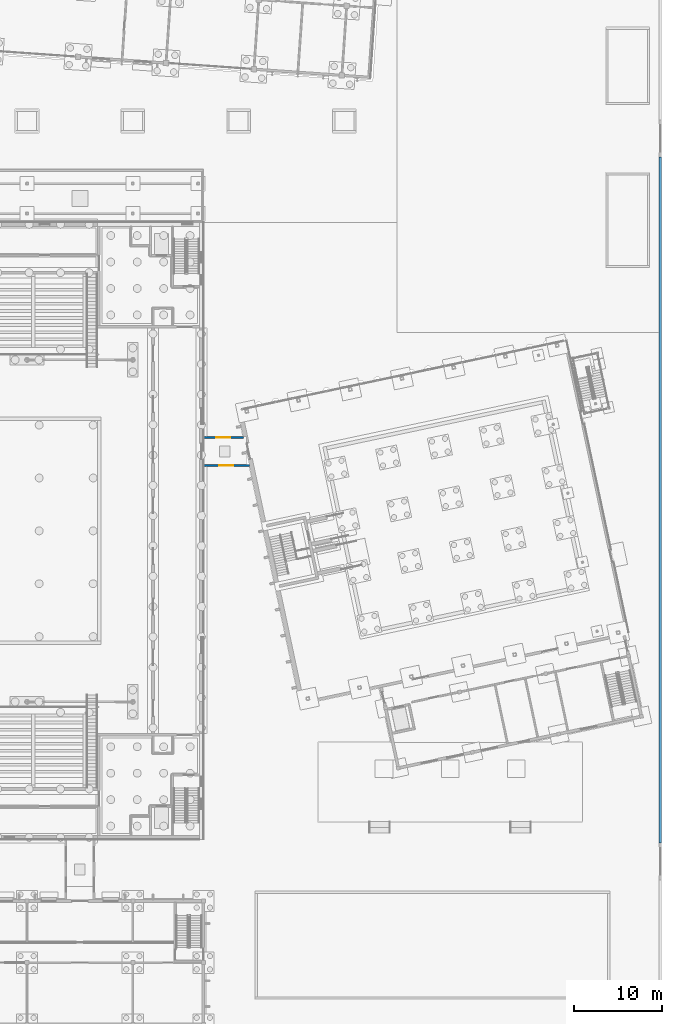
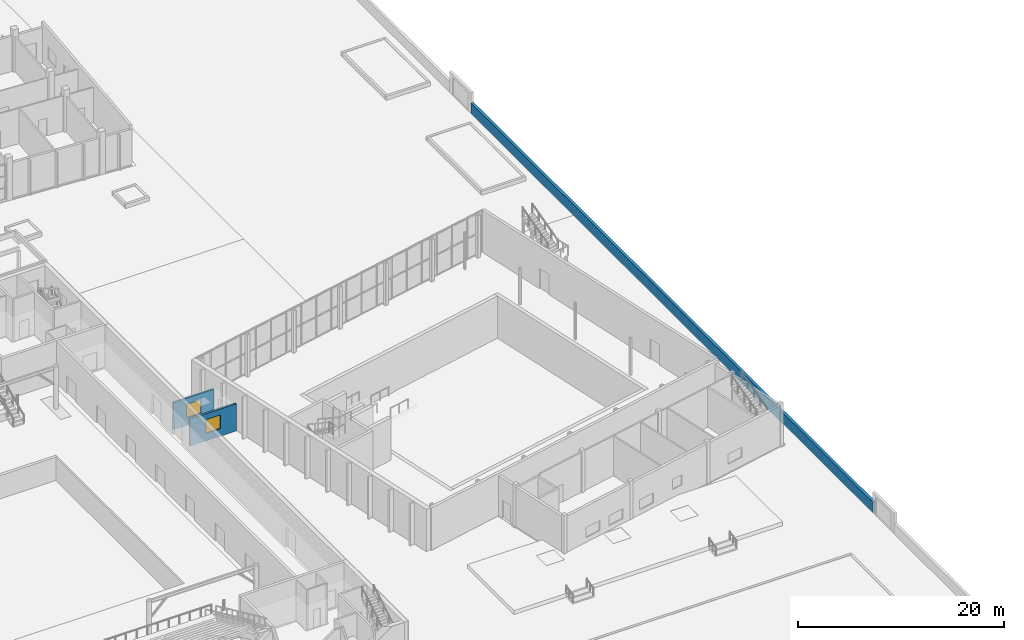
# One storey, part 104 of 157: 3 walls, 2 windows, 2 openings.
"""IFC4 building model written with IfcOpenShell, lengths in metres."""

from ifc_helpers import new_model, si_unit, direction, frame, frame_2d, origin, place, context, subcontext, project, spatial, rectangle, extrude, material, layer, layer_set, type_object, element, fill, save


model = new_model("IFC4")

# Units and contexts
model_context = context("Model", 3, precision=1e-05, world=origin(), true_north=direction((0.0, 1.0)))
body_context = subcontext(model_context, "Body", "Model", "MODEL_VIEW")
ifc_project = project(units=[si_unit("LENGTHUNIT", "METRE"), si_unit("AREAUNIT", "SQUARE_METRE"), si_unit("VOLUMEUNIT", "CUBIC_METRE"), si_unit("PLANEANGLEUNIT", "RADIAN"), si_unit("MASSUNIT", "GRAM", prefix="KILO")], contexts=[model_context])

# Site, building, storey
site_placement = place(None, origin())
site = spatial("IfcSite", under=ifc_project, at=site_placement, CompositionType="ELEMENT")
building_placement = place(site_placement, origin())
building = spatial("IfcBuilding", under=site, at=building_placement, Name="Windward Yard Aquatics Centre", CompositionType="ELEMENT")
storey_placement = place(building_placement, origin())
storey = spatial("IfcBuildingStorey", under=building, at=storey_placement, Name="L00", CompositionType="ELEMENT", Elevation=0.0)

# Wall, opening, window
ifc_material_1 = material(Name="Concrete C35/45", Category="concrete")
ifc_layer_1 = layer(ifc_material_1, 0.199951171875)
ifc_layer_set_1 = layer_set([ifc_layer_1], Name="C link side wall 200")
wall_type_1 = type_object("IfcWallType", Name="C link side wall 200", PredefinedType="ELEMENTEDWALL", material=ifc_layer_set_1)
wall_1_placement = place(storey_placement, frame((152.0, 71.60009765625, 0.0), z_axis=(0.0, 0.0, 1.0), x_axis=(1.0, 0.0, 0.0)))
wall_1 = element("IfcWall", 1, at=wall_1_placement, inside=storey, type_object=wall_type_1, Name="C.W.X.V1V2.1.N", PredefinedType="ELEMENTEDWALL", context=body_context, shape_type="SweptSolid", body=[
    extrude(rectangle(XDim=4.534912109375, YDim=0.199951171875, at=frame_2d((2.267578125, 0.0))), origin(), (0.0, 0.0, 1.0), 3.199951171875),
])
opening_1_placement = place(wall_1_placement, frame((1.467529296875, 0.0, 0.89990234375)))
opening_1 = element("IfcOpeningElement", 2, at=opening_1_placement, cuts=wall_1, Name="Opening CW0050", PredefinedType="OPENING", context=body_context, shape_type="SweptSolid", body=[
    extrude(rectangle(XDim=1.60009765625, YDim=1.60009765625, at=frame_2d((0.800048828125, 0.800048828125))), frame((0.0, 0.10986328125, 0.0), z_axis=(0.0, -1.0, 0.0), x_axis=(1.0, 0.0, 0.0)), (0.0, 0.0, 1.0), 0.219970703125),
])
ifc_material_2 = material(Name="Aluminium framed double glazing", Category="aluminium")
window_type = type_object("IfcWindowType", Name="C window 1600X1600", PartitioningType="SINGLE_PANEL", PredefinedType="WINDOW", material=ifc_material_2)
window_1_placement = place(opening_1_placement, origin())
window_1 = element("IfcWindow", 3, at=window_1_placement, inside=storey, type_object=window_type, Name="Window CW0050", OverallHeight=1.60009765625, OverallWidth=1.60009765625, PartitioningType="SINGLE_PANEL", PredefinedType="WINDOW", context=body_context, shape_type="SweptSolid", body=[
    extrude(rectangle(XDim=1.60009765625, YDim=1.60009765625, at=frame_2d((0.800048828125, 0.800048828125))), frame((0.0, 0.030029296875, 0.0), z_axis=(0.0, -1.0, 0.0), x_axis=(1.0, 0.0, 0.0)), (0.0, 0.0, 1.0), 0.06005859375),
])
fill(opening_1, window_1)

wall_2_placement = place(storey_placement, frame((152.0, 68.39990234375, 0.0), z_axis=(0.0, 0.0, 1.0), x_axis=(1.0, 0.0, 0.0)))
wall_2 = element("IfcWall", 4, at=wall_2_placement, inside=storey, type_object=wall_type_1, Name="C.W.X.V1V2.1.S", PredefinedType="ELEMENTEDWALL", context=body_context, shape_type="SweptSolid", body=[
    extrude(rectangle(XDim=5.215087890625, YDim=0.199951171875, at=frame_2d((2.607421875, 0.0))), origin(), (0.0, 0.0, 1.0), 3.199951171875),
])
opening_2_placement = place(wall_2_placement, frame((1.8076171875, 0.0, 0.89990234375)))
opening_2 = element("IfcOpeningElement", 5, at=opening_2_placement, cuts=wall_2, Name="Opening CW0051", PredefinedType="OPENING", context=body_context, shape_type="SweptSolid", body=[
    extrude(rectangle(XDim=1.60009765625, YDim=1.60009765625, at=frame_2d((0.800048828125, 0.800048828125))), frame((0.0, 0.10986328125, 0.0), z_axis=(0.0, -1.0, 0.0), x_axis=(1.0, 0.0, 0.0)), (0.0, 0.0, 1.0), 0.219970703125),
])
window_2_placement = place(opening_2_placement, origin())
window_2 = element("IfcWindow", 6, at=window_2_placement, inside=storey, type_object=window_type, Name="Window CW0051", OverallHeight=1.60009765625, OverallWidth=1.60009765625, PartitioningType="SINGLE_PANEL", PredefinedType="WINDOW", context=body_context, shape_type="SweptSolid", body=[
    extrude(rectangle(XDim=1.60009765625, YDim=1.60009765625, at=frame_2d((0.800048828125, 0.800048828125))), frame((0.0, 0.030029296875, 0.0), z_axis=(0.0, -1.0, 0.0), x_axis=(1.0, 0.0, 0.0)), (0.0, 0.0, 1.0), 0.06005859375),
])
fill(opening_2, window_2)

# Wall
ifc_material_3 = material(Name="Concrete C30/37", Category="concrete")
ifc_layer_2 = layer(ifc_material_3, 0.300048828125)
ifc_layer_set_2 = layer_set([ifc_layer_2], Name="X Boundary Wall Concrete C30/37 300 x 1200")
wall_type_2 = type_object("IfcWallType", Name="X Boundary Wall Concrete C30/37 300 x 1200", PredefinedType="SOLIDWALL", material=ifc_layer_set_2)
wall_3_placement = place(storey_placement, frame((203.85009765625, 25.60009765625, -0.10009765625), z_axis=(0.0, 0.0, 1.0), x_axis=(0.0, 1.0, 0.0)))
element("IfcWall", 7, at=wall_3_placement, inside=storey, type_object=wall_type_2, Name="East boundary wall", PredefinedType="SOLIDWALL", context=body_context, shape_type="SweptSolid", body=[
    extrude(rectangle(XDim=77.7998046875, YDim=0.300048828125, at=frame_2d((38.89990234375, 0.0))), origin(), (0.0, 0.0, 1.0), 1.300048828125),
])

save(model, "model.ifc")
